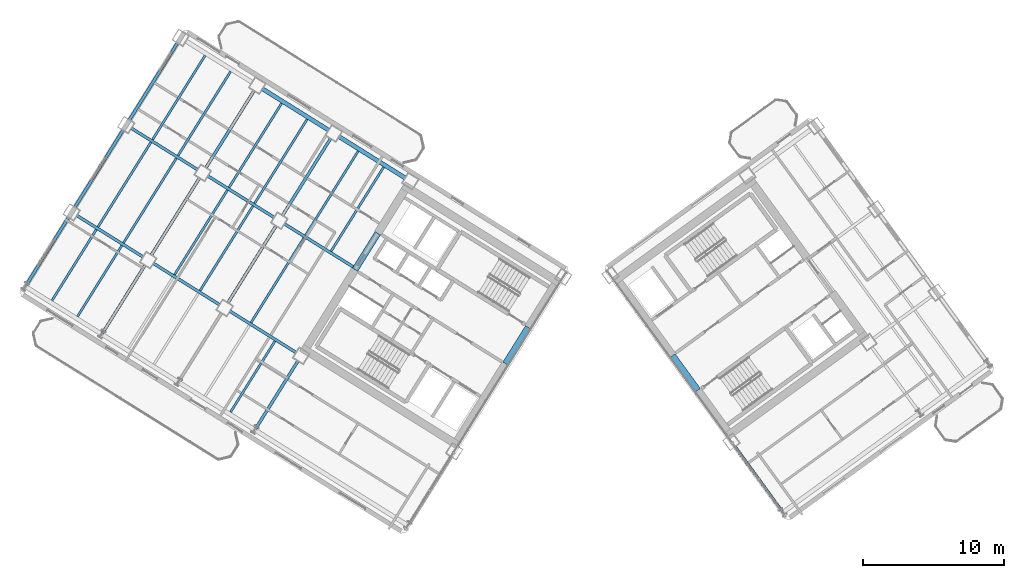
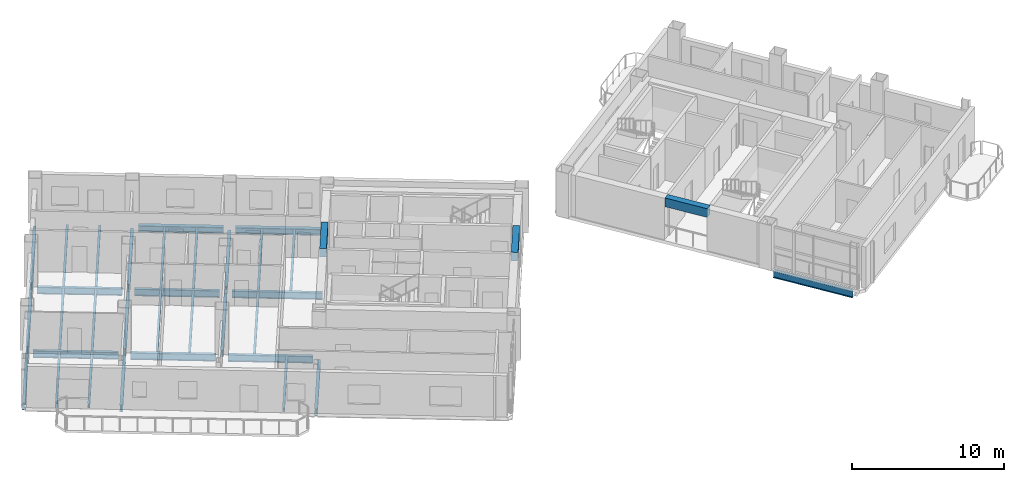
# One storey, part 7 of 18: 35 beams.
"""IFC4 building model written with IfcOpenShell, lengths in metres."""

from ifc_helpers import new_model, si_unit, direction, frame, origin, origin_2d, place, context, subcontext, project, spatial, rectangle, i_section, extrude, source, transform, mapped, material, material_profile, profile_set, type_object, element, save


model = new_model("IFC4")

# Units and contexts
model_context = context("Model", 3, precision=1e-05, world=origin(), true_north=direction((0.0, 1.0)))
body_context = subcontext(model_context, "Body", "Model", "MODEL_VIEW")
ifc_project = project(units=[si_unit("LENGTHUNIT", "METRE"), si_unit("AREAUNIT", "SQUARE_METRE"), si_unit("VOLUMEUNIT", "CUBIC_METRE"), si_unit("PLANEANGLEUNIT", "RADIAN"), si_unit("MASSUNIT", "GRAM", prefix="KILO")], contexts=[model_context])

# Site, building, storey
site_placement = place(None, origin())
site = spatial("IfcSite", under=ifc_project, at=site_placement, CompositionType="ELEMENT")
building_placement = place(site_placement, origin())
building = spatial("IfcBuilding", under=site, at=building_placement, Name="Tlacorven Tower", CompositionType="ELEMENT")
storey_placement = place(building_placement, frame((0.0, 0.0, 132.60009765625)))
storey = spatial("IfcBuildingStorey", under=building, at=storey_placement, Name="L33", CompositionType="ELEMENT", Elevation=132.60009765625)

# Beams
ifc_material_1 = material(Name="Concrete C60/75", Category="concrete")
ifc_material_profile_1 = material_profile(ifc_material_1, rectangle(XDim=0.449951171875, YDim=0.699951171875, at=origin_2d()), Name="RC 450X700")
ifc_profile_set_1 = profile_set([ifc_material_profile_1], Name="Concrete C60/75")
beam_type_1 = type_object("IfcBeamType", Name="BM-LNT-700", PredefinedType="LINTEL", material=ifc_profile_set_1)
shared_shape_1 = source(origin(), body_context, "Body", "SweptSolid", [
    extrude(rectangle(XDim=0.449951171875, YDim=0.699951171875, at=origin_2d()), origin(), (0.0, 0.0, 1.0), 3.050048828125),
])
for number, where, z_axis, x_axis, name in (
    (1, (38.2998046875, 20.890625, 2.969970703125), (-0.529984549635, -0.848007297815, 0.0), (0.848007297815, -0.529984549635, 0.0), "L33 W core coupling lintel beam E1"),
    (2, (50.318359375, 16.416015625, 2.969970703125), (-0.587776590479, 0.80902328748, 0.0), (-0.80902328748, -0.587776590479, 0.0), "L33 E core coupling lintel beam E1"),
):
    element("IfcBeam", number, at=place(storey_placement, frame(where, z_axis=z_axis, x_axis=x_axis)), inside=storey, type_object=beam_type_1, Name=name, PredefinedType="LINTEL", context=body_context, shape_type="MappedRepresentation", body=[
        mapped(shared_shape_1, transform((0.0, 0.0, 0.0), scale=1.0)),
    ])
shared_shape_2 = source(origin(), body_context, "Body", "SweptSolid", [
    extrude(rectangle(XDim=0.449951171875, YDim=0.699951171875, at=origin_2d()), origin(), (0.0, 0.0, 1.0), 3.0498046875),
])
beam_1_placement = place(storey_placement, frame((27.622802734375, 27.562255859375, 2.969970703125), z_axis=(-0.529926983584, -0.848043272522, 0.0), x_axis=(0.848043272522, -0.529926983584, 0.0)))
element("IfcBeam", 3, at=beam_1_placement, inside=storey, type_object=beam_type_1, Name="L33 W core coupling lintel beam E2", PredefinedType="LINTEL", context=body_context, shape_type="MappedRepresentation", body=[
    mapped(shared_shape_2, transform((0.0, 0.0, 0.0), scale=1.0)),
])
ifc_material_2 = material(Name="Steel S355J2", Category="steel")
ifc_material_profile_2 = material_profile(ifc_material_2, i_section(OverallWidth=0.2099609375, OverallDepth=0.550048828125, WebThickness=0.010986328125, FlangeThickness=0.01708984375, at=origin_2d()), Name="IPE 550")
ifc_profile_set_2 = profile_set([ifc_material_profile_2], Name="Steel S355J2")
beam_type_2 = type_object("IfcBeamType", Name="BM-TWR-550", PredefinedType="BEAM", material=ifc_profile_set_2)
shared_shape_3 = source(origin(), body_context, "Body", "SweptSolid", [
    extrude(i_section(OverallWidth=0.2099609375, OverallDepth=0.550048828125, WebThickness=0.010986328125, FlangeThickness=0.01708984375, at=origin_2d()), origin(), (0.0, 0.0, 1.0), 5.599853515625),
])
for number, where, z_axis, x_axis, name in (
    (4, (20.292724609375, 28.6640625, -0.525146484375), (-0.848047285686, 0.529920561254, 0.0), (-0.529920561254, -0.848047285686, 0.0), "L33 beam BM-L33-WL2-4"),
    (5, (21.851806640625, 19.081787109375, -0.525146484375), (-0.848047285686, 0.529920561254, 0.0), (-0.529920561254, -0.848047285686, 0.0), "L33 beam BM-L33-WL3-3"),
    (6, (16.42431640625, 22.473388671875, -0.525146484375), (-0.848047285686, 0.529920561254, 0.0), (-0.529920561254, -0.848047285686, 0.0), "L33 beam BM-L33-WL3-4"),
    (7, (10.996826171875, 25.86474609375, -0.525146484375), (-0.848047285686, 0.529920561254, 0.0), (-0.529920561254, -0.848047285686, 0.0), "L33 beam BM-L33-WL3-5"),
):
    element("IfcBeam", number, at=place(storey_placement, frame(where, z_axis=z_axis, x_axis=x_axis)), inside=storey, type_object=beam_type_2, Name=name, PredefinedType="BEAM", context=body_context, shape_type="MappedRepresentation", body=[
        mapped(shared_shape_3, transform((0.0, 0.0, 0.0), scale=1.0)),
    ])
shared_shape_4 = source(origin(), body_context, "Body", "SweptSolid", [
    extrude(i_section(OverallWidth=0.2099609375, OverallDepth=0.550048828125, WebThickness=0.010986328125, FlangeThickness=0.01708984375, at=origin_2d()), origin(), (0.0, 0.0, 1.0), 5.960205078125),
])
beam_2_placement = place(storey_placement, frame((26.025634765625, 25.081787109375, -0.525146484375), z_axis=(-0.848042024898, 0.529928980153, 0.0), x_axis=(-0.529928980153, -0.848042024898, 0.0)))
element("IfcBeam", 8, at=beam_2_placement, inside=storey, type_object=beam_type_2, Name="L33 beam BM-L33-WL2-3", PredefinedType="BEAM", context=body_context, shape_type="MappedRepresentation", body=[
    mapped(shared_shape_4, transform((0.0, 0.0, 0.0), scale=1.0)),
])
shared_shape_5 = source(origin(), body_context, "Body", "SweptSolid", [
    extrude(i_section(OverallWidth=0.2099609375, OverallDepth=0.550048828125, WebThickness=0.010986328125, FlangeThickness=0.01708984375, at=origin_2d()), origin(), (0.0, 0.0, 1.0), 5.60009765625),
])
beam_3_placement = place(storey_placement, frame((14.865234375, 32.055419921875, -0.525146484375), z_axis=(-0.848027693204, 0.529951914384, 0.0), x_axis=(-0.529951914384, -0.848027693204, 0.0)))
element("IfcBeam", 9, at=beam_3_placement, inside=storey, type_object=beam_type_2, Name="L33 beam BM-L33-WL2-5", PredefinedType="BEAM", context=body_context, shape_type="MappedRepresentation", body=[
    mapped(shared_shape_5, transform((0.0, 0.0, 0.0), scale=1.0)),
])
ifc_material_profile_3 = material_profile(ifc_material_2, i_section(OverallWidth=0.300048828125, OverallDepth=0.489990234375, WebThickness=0.011962890625, FlangeThickness=0.02294921875, at=origin_2d()), Name="HEA 500")
ifc_profile_set_3 = profile_set([ifc_material_profile_3], Name="Steel S355J2")
beam_type_3 = type_object("IfcBeamType", Name="BM-SPN-500", PredefinedType="SPANDREL", material=ifc_profile_set_3)
shared_shape_6 = source(origin(), body_context, "Body", "SweptSolid", [
    extrude(i_section(OverallWidth=0.300048828125, OverallDepth=0.489990234375, WebThickness=0.011962890625, FlangeThickness=0.02294921875, at=origin_2d()), origin(), (0.0, 0.0, 1.0), 5.599853515625),
])
for number, where, z_axis, x_axis, name in (
    (10, (29.588623046875, 31.46337890625, -0.4951171875), (-0.848047285686, 0.529920561254, 0.0), (-0.529920561254, -0.848047285686, 0.0), "L33 beam BM-L33-WL1-3"),
    (11, (24.1611328125, 34.854736328125, -0.4951171875), (-0.848047285686, 0.529920561254, 0.0), (-0.529920561254, -0.848047285686, 0.0), "L33 beam BM-L33-WL1-4"),
):
    element("IfcBeam", number, at=place(storey_placement, frame(where, z_axis=z_axis, x_axis=x_axis)), inside=storey, type_object=beam_type_3, Name=name, PredefinedType="SPANDREL", context=body_context, shape_type="MappedRepresentation", body=[
        mapped(shared_shape_6, transform((0.0, 0.0, 0.0), scale=1.0)),
    ])
shared_shape_7 = source(origin(), body_context, "Body", "SweptSolid", [
    extrude(i_section(OverallWidth=0.2099609375, OverallDepth=0.550048828125, WebThickness=0.010986328125, FlangeThickness=0.01708984375, at=origin_2d()), origin(), (0.0, 0.0, 1.0), 5.7001953125),
])
for number, where, z_axis, x_axis, name in (
    (12, (11.1240234375, 25.313720703125, -0.525146484375), (-0.529906537151, -0.848056048787, 0.0), (0.848056048787, -0.529906537151, 0.0), "L33 beam BM-L33-WT5-3"),
    (13, (5.696533203125, 28.705078125, -0.525146484375), (-0.529906537151, -0.848056048787, 0.0), (0.848056048787, -0.529906537151, 0.0), "L33 beam BM-L33-WT6-3"),
):
    element("IfcBeam", number, at=place(storey_placement, frame(where, z_axis=z_axis, x_axis=x_axis)), inside=storey, type_object=beam_type_2, Name=name, PredefinedType="BEAM", context=body_context, shape_type="MappedRepresentation", body=[
        mapped(shared_shape_7, transform((0.0, 0.0, 0.0), scale=1.0)),
    ])
shared_shape_8 = source(origin(), body_context, "Body", "SweptSolid", [
    extrude(i_section(OverallWidth=0.2099609375, OverallDepth=0.550048828125, WebThickness=0.010986328125, FlangeThickness=0.01708984375, at=origin_2d()), origin(), (0.0, 0.0, 1.0), 5.699951171875),
])
for number, where, z_axis, x_axis, name in (
    (14, (21.979248046875, 18.530517578125, -0.525146484375), (-0.5299565889, -0.848024771974, 0.0), (0.848024771974, -0.5299565889, 0.0), "L33 beam BM-L33-WT3-2"),
    (15, (56.291015625, 7.83837890625, -0.525146484375), (-0.587815099892, 0.808995307983, 0.0), (-0.808995307983, -0.587815099892, 0.0), "L33 beam BM-L33-ET1-1"),
):
    element("IfcBeam", number, at=place(storey_placement, frame(where, z_axis=z_axis, x_axis=x_axis)), inside=storey, type_object=beam_type_2, Name=name, PredefinedType="BEAM", context=body_context, shape_type="MappedRepresentation", body=[
        mapped(shared_shape_8, transform((0.0, 0.0, 0.0), scale=1.0)),
    ])
shared_shape_9 = source(origin(), body_context, "Body", "SweptSolid", [
    extrude(i_section(OverallWidth=0.2099609375, OverallDepth=0.550048828125, WebThickness=0.010986328125, FlangeThickness=0.01708984375, at=origin_2d()), origin(), (0.0, 0.0, 1.0), 6.500244140625),
])
beam_4_placement = place(storey_placement, frame((24.28857421875, 34.3037109375, -0.525146484375), z_axis=(-0.529921287515, -0.848046831866, 0.0), x_axis=(0.848046831866, -0.529921287515, 0.0)))
element("IfcBeam", 16, at=beam_4_placement, inside=storey, type_object=beam_type_2, Name="L33 beam BM-L33-WT4-1", PredefinedType="BEAM", context=body_context, shape_type="MappedRepresentation", body=[
    mapped(shared_shape_9, transform((0.0, 0.0, 0.0), scale=1.0)),
])
shared_shape_10 = source(origin(), body_context, "Body", "SweptSolid", [
    extrude(i_section(OverallWidth=0.2099609375, OverallDepth=0.550048828125, WebThickness=0.010986328125, FlangeThickness=0.01708984375, at=origin_2d()), origin(), (0.0, 0.0, 1.0), 6.5),
])
for number, where, z_axis, x_axis, name in (
    (17, (20.420166015625, 28.11279296875, -0.525146484375), (-0.529938166933, -0.848036284146, 0.0), (0.848036284146, -0.529938166933, 0.0), "L33 beam BM-L33-WT4-2"),
    (18, (14.992431640625, 31.50439453125, -0.525146484375), (-0.529894274829, -0.848063710757, 0.0), (0.848063710757, -0.529894274829, 0.0), "L33 beam BM-L33-WT5-2"),
    (19, (13.433349609375, 41.086669921875, -0.525146484375), (-0.529894274829, -0.848063710757, 0.0), (0.848063710757, -0.529894274829, 0.0), "L33 beam BM-L33-WT6-1"),
):
    element("IfcBeam", number, at=place(storey_placement, frame(where, z_axis=z_axis, x_axis=x_axis)), inside=storey, type_object=beam_type_2, Name=name, PredefinedType="BEAM", context=body_context, shape_type="MappedRepresentation", body=[
        mapped(shared_shape_10, transform((0.0, 0.0, 0.0), scale=1.0)),
    ])
shared_shape_11 = source(origin(), body_context, "Body", "SweptSolid", [
    extrude(i_section(OverallWidth=0.2099609375, OverallDepth=0.550048828125, WebThickness=0.010986328125, FlangeThickness=0.01708984375, at=origin_2d()), origin(), (0.0, 0.0, 1.0), 6.499755859375),
])
for number, where, z_axis, x_axis, name in (
    (20, (18.86083984375, 37.695068359375, -0.525146484375), (-0.529911154058, -0.848053163902, 0.0), (0.848053163902, -0.529911154058, 0.0), "L33 beam BM-L33-WT5-1"),
    (21, (9.56494140625, 34.895751953125, -0.525146484375), (-0.529911154058, -0.848053163902, 0.0), (0.848053163902, -0.529911154058, 0.0), "L33 beam BM-L33-WT6-2"),
):
    element("IfcBeam", number, at=place(storey_placement, frame(where, z_axis=z_axis, x_axis=x_axis)), inside=storey, type_object=beam_type_2, Name=name, PredefinedType="BEAM", context=body_context, shape_type="MappedRepresentation", body=[
        mapped(shared_shape_11, transform((0.0, 0.0, 0.0), scale=1.0)),
    ])
ifc_material_profile_4 = material_profile(ifc_material_2, i_section(OverallWidth=0.159912109375, OverallDepth=0.330078125, WebThickness=0.007568359375, FlangeThickness=0.011474609375, at=origin_2d()), Name="IPE 330")
ifc_profile_set_4 = profile_set([ifc_material_profile_4], Name="Steel S355J2")
beam_type_4 = type_object("IfcBeamType", Name="BM-JST-330", PredefinedType="JOIST", material=ifc_profile_set_4)
shared_shape_12 = source(origin(), body_context, "Body", "SweptSolid", [
    extrude(i_section(OverallWidth=0.159912109375, OverallDepth=0.330078125, WebThickness=0.007568359375, FlangeThickness=0.011474609375, at=origin_2d()), origin(), (0.0, 0.0, 1.0), 5.93505859375),
])
for number, where, z_axis, x_axis, name in (
    (22, (20.32373046875, 19.906982421875, -0.4150390625), (-0.529910194899, -0.848053763238, 0.0), (0.848053763238, -0.529910194899, 0.0), "L33 beam BM-L33-WJ3-3-1"),
    (23, (9.46875, 26.68994140625, -0.4150390625), (-0.529939778535, -0.848035277053, 0.0), (0.848035277053, -0.529939778535, 0.0), "L33 beam BM-L33-WJ5-3-1"),
    (24, (7.659423828125, 27.820556640625, -0.4150390625), (-0.529910194899, -0.848053763238, 0.0), (0.848053763238, -0.529910194899, 0.0), "L33 beam BM-L33-WJ5-3-2"),
):
    element("IfcBeam", number, at=place(storey_placement, frame(where, z_axis=z_axis, x_axis=x_axis)), inside=storey, type_object=beam_type_4, Name=name, PredefinedType="JOIST", context=body_context, shape_type="MappedRepresentation", body=[
        mapped(shared_shape_12, transform((0.0, 0.0, 0.0), scale=1.0)),
    ])
shared_shape_13 = source(origin(), body_context, "Body", "SweptSolid", [
    extrude(i_section(OverallWidth=0.159912109375, OverallDepth=0.330078125, WebThickness=0.007568359375, FlangeThickness=0.011474609375, at=origin_2d()), origin(), (0.0, 0.0, 1.0), 7.080078125),
])
beam_5_placement = place(storey_placement, frame((18.7646484375, 29.4892578125, -0.4150390625), z_axis=(-0.529933847046, -0.848038983629, 0.0), x_axis=(0.848038983629, -0.529933847046, 0.0)))
element("IfcBeam", 25, at=beam_5_placement, inside=storey, type_object=beam_type_4, Name="L33 beam BM-L33-WJ4-2-1", PredefinedType="JOIST", context=body_context, shape_type="MappedRepresentation", body=[
    mapped(shared_shape_13, transform((0.0, 0.0, 0.0), scale=1.0)),
])
shared_shape_14 = source(origin(), body_context, "Body", "SweptSolid", [
    extrude(i_section(OverallWidth=0.159912109375, OverallDepth=0.330078125, WebThickness=0.007568359375, FlangeThickness=0.011474609375, at=origin_2d()), origin(), (0.0, 0.0, 1.0), 7.03515625),
])
for number, where, z_axis, x_axis, name in (
    (26, (28.03662109375, 32.25048828125, -0.4150390625), (-0.529920952588, -0.848047041153, 0.0), (0.848047041153, -0.529920952588, 0.0), "L33 beam BM-L33-WJ3-1-1"),
    (27, (26.2275390625, 33.380859375, -0.4150390625), (-0.529920952588, -0.848047041153, 0.0), (0.848047041153, -0.529920952588, 0.0), "L33 beam BM-L33-WJ3-1-2"),
    (28, (22.609130859375, 35.641845703125, -0.4150390625), (-0.529920952588, -0.848047041153, 0.0), (0.848047041153, -0.529920952588, 0.0), "L33 beam BM-L33-WJ4-1-1"),
    (29, (20.800048828125, 36.7724609375, -0.4150390625), (-0.529920952588, -0.848047041153, 0.0), (0.848047041153, -0.529920952588, 0.0), "L33 beam BM-L33-WJ4-1-2"),
    (30, (17.181640625, 39.033447265625, -0.4150390625), (-0.529920952588, -0.848047041153, 0.0), (0.848047041153, -0.529920952588, 0.0), "L33 beam BM-L33-WJ5-1-1"),
):
    element("IfcBeam", number, at=place(storey_placement, frame(where, z_axis=z_axis, x_axis=x_axis)), inside=storey, type_object=beam_type_4, Name=name, PredefinedType="JOIST", context=body_context, shape_type="MappedRepresentation", body=[
        mapped(shared_shape_14, transform((0.0, 0.0, 0.0), scale=1.0)),
    ])
shared_shape_15 = source(origin(), body_context, "Body", "SweptSolid", [
    extrude(i_section(OverallWidth=0.159912109375, OverallDepth=0.330078125, WebThickness=0.007568359375, FlangeThickness=0.011474609375, at=origin_2d()), origin(), (0.0, 0.0, 1.0), 7.079833984375),
])
for number, where, z_axis, x_axis, name in (
    (31, (22.3828125, 27.228271484375, -0.4150390625), (-0.529909047265, -0.848054480341, 0.0), (0.848054480341, -0.529909047265, 0.0), "L33 beam BM-L33-WJ3-2-2"),
    (32, (16.955322265625, 30.619873046875, -0.4150390625), (-0.529909047265, -0.848054480341, 0.0), (0.848054480341, -0.529909047265, 0.0), "L33 beam BM-L33-WJ4-2-2"),
    (33, (11.52783203125, 34.01123046875, -0.4150390625), (-0.529909047265, -0.848054480341, 0.0), (0.848054480341, -0.529909047265, 0.0), "L33 beam BM-L33-WJ5-2-2"),
):
    element("IfcBeam", number, at=place(storey_placement, frame(where, z_axis=z_axis, x_axis=x_axis)), inside=storey, type_object=beam_type_4, Name=name, PredefinedType="JOIST", context=body_context, shape_type="MappedRepresentation", body=[
        mapped(shared_shape_15, transform((0.0, 0.0, 0.0), scale=1.0)),
    ])
shared_shape_16 = source(origin(), body_context, "Body", "SweptSolid", [
    extrude(i_section(OverallWidth=0.159912109375, OverallDepth=0.330078125, WebThickness=0.007568359375, FlangeThickness=0.011474609375, at=origin_2d()), origin(), (0.0, 0.0, 1.0), 7.034912109375),
])
beam_6_placement = place(storey_placement, frame((15.372314453125, 40.163818359375, -0.4150390625), z_axis=(-0.529895993776, -0.848062636708, 0.0), x_axis=(0.848062636708, -0.529895993776, 0.0)))
element("IfcBeam", 34, at=beam_6_placement, inside=storey, type_object=beam_type_4, Name="L33 beam BM-L33-WJ5-1-2", PredefinedType="JOIST", context=body_context, shape_type="MappedRepresentation", body=[
    mapped(shared_shape_16, transform((0.0, 0.0, 0.0), scale=1.0)),
])
shared_shape_17 = source(origin(), body_context, "Body", "SweptSolid", [
    extrude(i_section(OverallWidth=0.159912109375, OverallDepth=0.330078125, WebThickness=0.007568359375, FlangeThickness=0.011474609375, at=origin_2d()), origin(), (0.0, 0.0, 1.0), 7.080322265625),
])
beam_7_placement = place(storey_placement, frame((13.337158203125, 32.880859375, -0.4150390625), z_axis=(-0.52991835062, -0.848048667045, 0.0), x_axis=(0.848048667045, -0.52991835062, 0.0)))
element("IfcBeam", 35, at=beam_7_placement, inside=storey, type_object=beam_type_4, Name="L33 beam BM-L33-WJ5-2-1", PredefinedType="JOIST", context=body_context, shape_type="MappedRepresentation", body=[
    mapped(shared_shape_17, transform((0.0, 0.0, 0.0), scale=1.0)),
])

save(model, "model.ifc")
